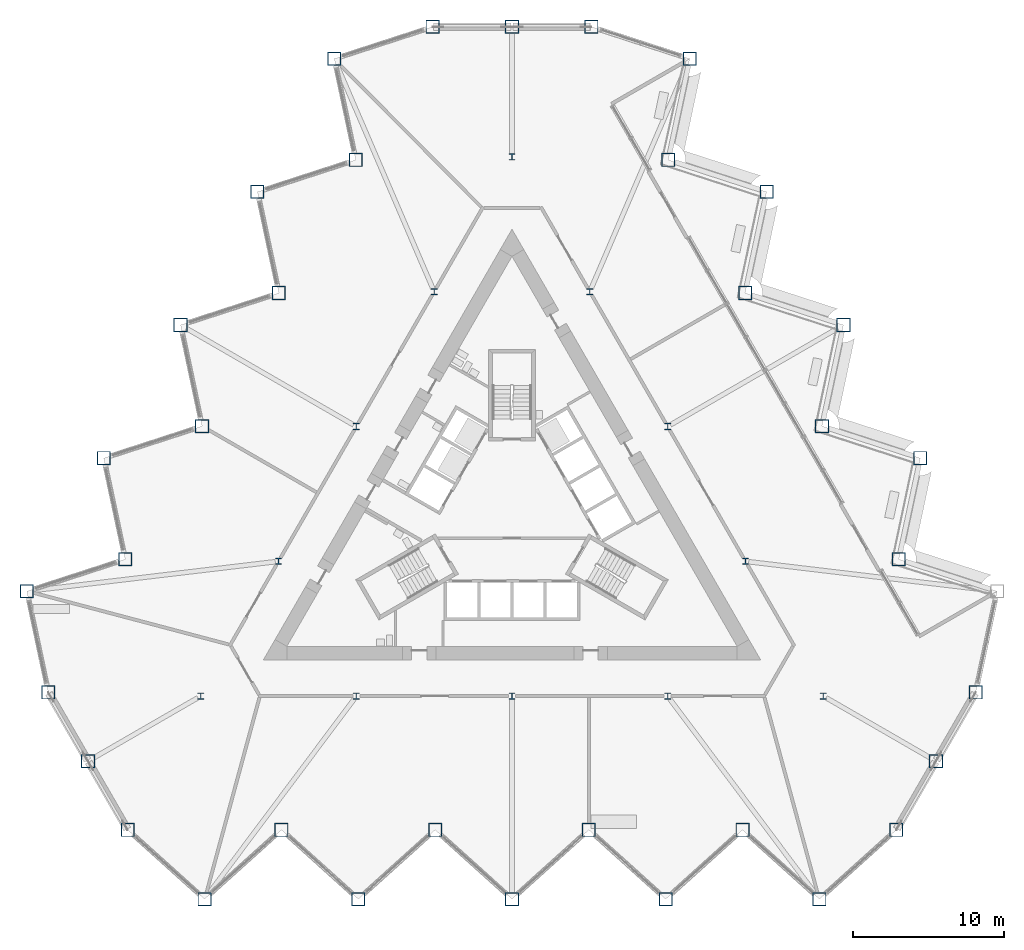
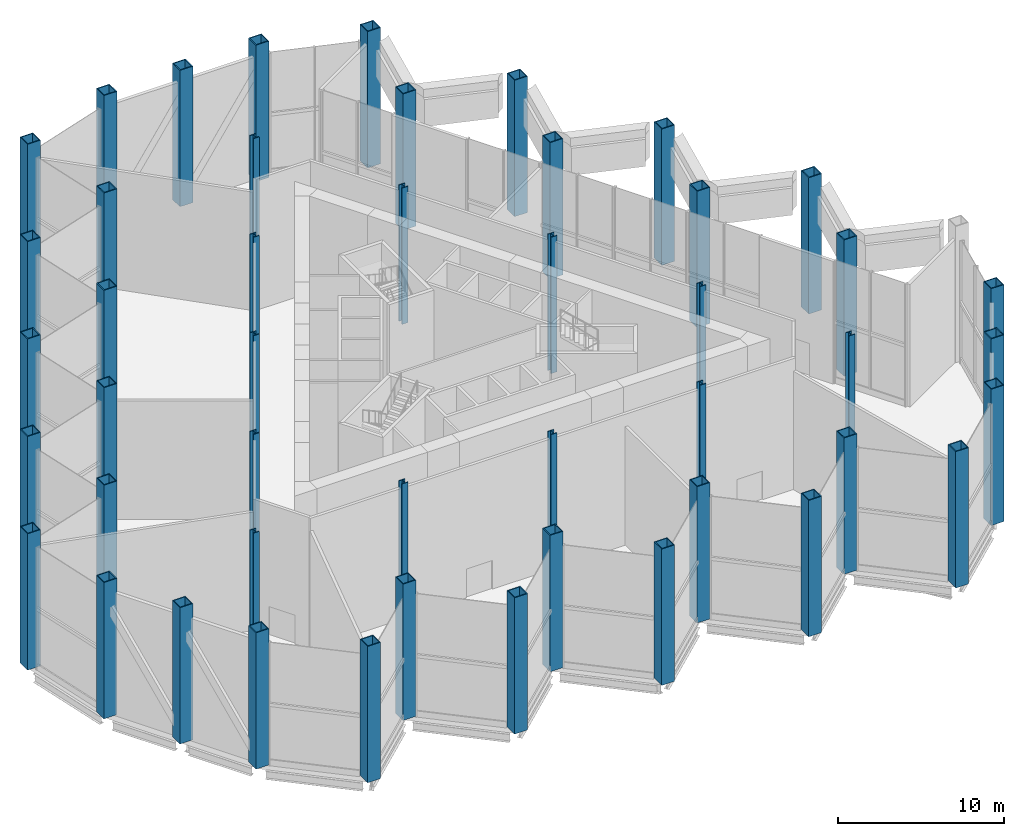
# One storey, part 1 of 18: 47 columns.
"""IFC4 building model written with IfcOpenShell, lengths in metres."""

import ifcopenshell
import ifcopenshell.guid

model = None  # the IFC model being written
_history = None  # IfcOwnerHistory: only IFC2X3 demands one
_inside = {}  # id of a spatial element -> (the spatial element, [elements in it])
_under = {}  # id of a project, library or spatial element -> (it, [spatial elements below it])
_declared = {}  # id of a project -> (the project, [libraries it declares])
_typed = {}  # id of a type object -> (the type object, [elements of that type])
_made_of = {}  # id of a material, layer set ... -> (it, [elements and type objects made of it])


def new_model(schema):
    """Start an empty IFC model of exactly this schema.

    Asked for "IFC4X3", IfcOpenShell would pick the latest addendum, in which some entities
    have other attributes; the version numbers below select the first issue.
    IFC2X3 requires an IfcOwnerHistory on every rooted entity: one is made here for all.
    """
    global model, _history
    if schema == "IFC4X3":
        model = ifcopenshell.file(schema_version=(4, 3, 0, 0))
    else:
        model = ifcopenshell.file(schema=schema)
    _inside.clear()
    _under.clear()
    _declared.clear()
    _typed.clear()
    _made_of.clear()
    _history = None
    if model.schema == "IFC2X3":
        org = make("IfcOrganization", Name="unknown")
        user = make(
            "IfcPersonAndOrganization",
            ThePerson=make("IfcPerson", FamilyName="unknown"),
            TheOrganization=org,
        )
        app = make(
            "IfcApplication",
            ApplicationDeveloper=org,
            Version="unknown",
            ApplicationFullName="unknown",
            ApplicationIdentifier="unknown",
        )
        _history = make(
            "IfcOwnerHistory",
            OwningUser=user,
            OwningApplication=app,
            ChangeAction="ADDED",
            CreationDate=0,
        )
    return model


def make(cls, **values):
    """One entity of the class cls with the attributes given. An attribute that is None is left unset."""
    return model.create_entity(
        cls, **{name: value for name, value in values.items() if value is not None}
    )


def rooted(cls, **values):
    """An entity with a GlobalId (a new one), such as an element, a storey or a relation."""
    return make(cls, GlobalId=ifcopenshell.guid.new(), OwnerHistory=_history, **values)


def si_unit(unit_type, name, prefix=None):
    """IfcSIUnit, for example si_unit("LENGTHUNIT", "METRE", prefix="MILLI")."""
    return make("IfcSIUnit", UnitType=unit_type, Prefix=prefix, Name=name)


def assignment(units):
    """IfcUnitAssignment: the units of a project."""
    return None if units is None else make("IfcUnitAssignment", Units=units)


def point(xyz):
    """IfcCartesianPoint."""
    return None if xyz is None else make("IfcCartesianPoint", Coordinates=xyz)


def direction(xyz):
    """IfcDirection."""
    return None if xyz is None else make("IfcDirection", DirectionRatios=xyz)


def frame(location, z_axis=None, x_axis=None):
    """IfcAxis2Placement3D, a coordinate frame: its origin and axes. An axis left out is left unset."""
    return make(
        "IfcAxis2Placement3D",
        Location=point(location),
        Axis=direction(z_axis),
        RefDirection=direction(x_axis),
    )


def frame_2d(location, x_axis=None):
    """IfcAxis2Placement2D, a coordinate frame in the plane: its origin and x axis."""
    return make(
        "IfcAxis2Placement2D", Location=point(location), RefDirection=direction(x_axis)
    )


def origin():
    """The frame at (0, 0, 0) with its axes left unset."""
    return frame((0.0, 0.0, 0.0))


def origin_2d():
    """The frame at (0, 0) in the plane with its x axis left unset."""
    return frame_2d((0.0, 0.0))


def place(relative_to, where):
    """IfcLocalPlacement: puts the frame where relative to a parent placement (None: the world)."""
    return make(
        "IfcLocalPlacement", PlacementRelTo=relative_to, RelativePlacement=where
    )


def context(
    kind, dimensions, precision=None, world=None, true_north=None, identifier=None
):
    """IfcGeometricRepresentationContext, for example the 3D "Model" context."""
    return make(
        "IfcGeometricRepresentationContext",
        ContextIdentifier=identifier,
        ContextType=kind,
        CoordinateSpaceDimension=dimensions,
        Precision=precision,
        WorldCoordinateSystem=world,
        TrueNorth=true_north,
    )


def subcontext(parent, identifier, kind, view, scale=None):
    """IfcGeometricRepresentationSubContext, for example "Body" below "Model"."""
    return make(
        "IfcGeometricRepresentationSubContext",
        ContextIdentifier=identifier,
        ContextType=kind,
        ParentContext=parent,
        TargetScale=scale,
        TargetView=view,
    )


def project(units=None, contexts=None):
    """IfcProject with its units and contexts."""
    return rooted(
        "IfcProject",
        Name="project",
        RepresentationContexts=contexts,
        UnitsInContext=assignment(units),
    )


def spatial(cls, under=None, at=None, **own):
    """A site, building, storey or space (cls), placed at a placement, below another one or the project."""
    s = rooted(cls, ObjectPlacement=at, **own)
    if under is not None:
        _under.setdefault(under.id(), (under, []))[1].append(s)
    return s


def profile(cls, at=None, kind="AREA", **sizes):
    """A parametric profile (cls). Its sizes go by their IFC names, for example OverallWidth=200.0."""
    return make(cls, ProfileType=kind, Position=at, **sizes)


def hollow_rectangle(**sizes):
    """IfcRectangleHollowProfileDef."""
    return profile("IfcRectangleHollowProfileDef", **sizes)


def i_section(**sizes):
    """IfcIShapeProfileDef."""
    return profile("IfcIShapeProfileDef", **sizes)


def extrude(swept, where, along, depth):
    """IfcExtrudedAreaSolid: the profile swept, set in the frame where, extruded along a direction by depth."""
    return make(
        "IfcExtrudedAreaSolid",
        SweptArea=swept,
        Position=where,
        ExtrudedDirection=direction(along),
        Depth=depth,
    )


def shape(context_of_items, identifier, shape_type, items):
    """IfcShapeRepresentation: the items that make up one representation, for example the "Body"."""
    return make(
        "IfcShapeRepresentation",
        ContextOfItems=context_of_items,
        RepresentationIdentifier=identifier,
        RepresentationType=shape_type,
        Items=items,
    )


def material(Name=None, Category=None):
    """IfcMaterial."""
    return make("IfcMaterial", Name=Name, Category=Category)


def material_profile(
    of_material, cross_section, Name=None, Category=None, Priority=None
):
    """IfcMaterialProfile: a cross section and its material."""
    return make(
        "IfcMaterialProfile",
        Name=Name,
        Material=of_material,
        Profile=cross_section,
        Priority=Priority,
        Category=Category,
    )


def profile_set(profiles, Name=None, composite=None):
    """IfcMaterialProfileSet."""
    return make(
        "IfcMaterialProfileSet",
        Name=Name,
        MaterialProfiles=profiles,
        CompositeProfile=composite,
    )


def made_of(thing, what):
    """Note that an element or type object is made of a material, layer set ...; save() writes the relation."""
    if what is not None:
        _made_of.setdefault(what.id(), (what, []))[1].append(thing)
    return thing


def type_object(cls, material=None, **own):
    """A type object (cls), such as IfcWallType, which elements share."""
    return made_of(rooted(cls, **own), material)


def element(
    cls,
    number,
    at=None,
    inside=None,
    cuts=None,
    type_object=None,
    material=None,
    context=None,
    identifier="Body",
    shape_type=None,
    held_by="IfcProductDefinitionShape",
    body=None,
    shapes=None,
    **own,
):
    """One element of the class cls, such as IfcWall. Its Tag is "e" and its number.

    at: its placement. inside: the storey or other place that contains it. cuts: it is an
    opening in that element (IfcRelVoidsElement). A single representation is given by context,
    identifier, shape_type and body (its items); several are given by shapes. held_by: the class
    of the entity that holds the representations. save() writes the other relations.
    """
    e = rooted(cls, Tag="e%d" % number, ObjectPlacement=at, **own)
    if body is not None:
        shapes = [shape(context, identifier, shape_type, body)]
    if shapes is not None:
        e.Representation = make(held_by, Representations=shapes)
    if inside is not None:
        _inside.setdefault(inside.id(), (inside, []))[1].append(e)
    if cuts is not None:
        rooted(
            "IfcRelVoidsElement", RelatingBuildingElement=cuts, RelatedOpeningElement=e
        )
    if type_object is not None:
        _typed.setdefault(type_object.id(), (type_object, []))[1].append(e)
    return made_of(e, material)


def aggregate(whole, parts):
    """IfcRelAggregates: a whole, such as a stair, and the parts it consists of."""
    return rooted("IfcRelAggregates", RelatingObject=whole, RelatedObjects=parts)


def save(model, path):
    """Write the relations noted so far, then the file.

    IfcRelAggregates (storeys below a building ...), IfcRelContainedInSpatialStructure (elements
    in a storey), IfcRelDefinesByType, IfcRelAssociatesMaterial and IfcRelDeclares: one each for
    every whole, place, type object, material and project.
    """
    for whole, parts in _under.values():
        aggregate(whole, parts)
    for where, things in _inside.values():
        rooted(
            "IfcRelContainedInSpatialStructure",
            RelatedElements=things,
            RelatingStructure=where,
        )
    for kind, things in _typed.values():
        rooted("IfcRelDefinesByType", RelatedObjects=things, RelatingType=kind)
    for what, things in _made_of.values():
        rooted("IfcRelAssociatesMaterial", RelatedObjects=things, RelatingMaterial=what)
    for by, libraries in _declared.values():
        rooted("IfcRelDeclares", RelatingContext=by, RelatedDefinitions=libraries)
    model.write(path)


model = new_model("IFC4")

# Units and contexts
model_context = context("Model", 3, precision=1e-05, world=origin(), true_north=direction((0.0, 1.0)))
body_context = subcontext(model_context, "Body", "Model", "MODEL_VIEW")
ifc_project = project(units=[si_unit("LENGTHUNIT", "METRE"), si_unit("AREAUNIT", "SQUARE_METRE"), si_unit("VOLUMEUNIT", "CUBIC_METRE"), si_unit("PLANEANGLEUNIT", "RADIAN"), si_unit("MASSUNIT", "GRAM", prefix="KILO")], contexts=[model_context])

# Site, building, storey
site_placement = place(None, origin())
site = spatial("IfcSite", under=ifc_project, at=site_placement, CompositionType="ELEMENT")
building_placement = place(site_placement, origin())
building = spatial("IfcBuilding", under=site, at=building_placement, Name="Cormorant Prow Tower", CompositionType="ELEMENT")
storey_placement = place(building_placement, frame((0.0, 0.0, 154.199951171875)))
storey = spatial("IfcBuildingStorey", under=building, at=storey_placement, Name="L33", CompositionType="ELEMENT", Elevation=154.199951171875)

# Columns
ifc_material_1 = material(Name="Structural steel ASTM A572 Gr 50", Category="steel")
ifc_material_profile_1 = material_profile(ifc_material_1, hollow_rectangle(XDim=0.89990234375, YDim=0.89990234375, WallThickness=0.06005859375, at=origin_2d()), Name="Box 900x900x60")
ifc_profile_set_1 = profile_set([ifc_material_profile_1], Name="Structural steel ASTM A572 Gr 50")
column_type_1 = type_object("IfcColumnType", Name="Perimeter box column 900x900x60", PredefinedType="COLUMN", material=ifc_profile_set_1)
for number, where, z_axis, x_axis, name in (
    (1, (-25.499755859375, -20.80712890625, 0.0), (0.0, 0.0, 1.0), (1.0, 0.0, 0.0), "Perimeter column C3 at S00 L33"),
    (2, (-20.399658203125, -25.399169921875, 0.0), (0.0, 0.0, 1.0), (1.0, 0.0, 0.0), "Perimeter column C3 at S01 L33"),
    (3, (-15.2998046875, -20.80712890625, 0.0), (0.0, 0.0, 1.0), (1.0, 0.0, 0.0), "Perimeter column C3 at S02 L33"),
    (4, (-10.199951171875, -25.399169921875, 0.0), (0.0, 0.0, 1.0), (1.0, 0.0, 0.0), "Perimeter column C3 at S03 L33"),
    (5, (-5.099853515625, -20.80712890625, 0.0), (0.0, 0.0, 1.0), (1.0, 0.0, 0.0), "Perimeter column C3 at S04 L33"),
    (6, (0.0, -25.399169921875, 0.0), (0.0, 0.0, 1.0), (1.0, 0.0, 0.0), "Perimeter column C3 at S05 L33"),
    (7, (5.099853515625, -20.80712890625, 0.0), (0.0, 0.0, 1.0), (1.0, 0.0, 0.0), "Perimeter column C3 at S06 L33"),
    (8, (10.199951171875, -25.399169921875, 0.0), (0.0, 0.0, 1.0), (1.0, 0.0, 0.0), "Perimeter column C3 at S07 L33"),
    (9, (15.2998046875, -20.80712890625, 0.0), (0.0, 0.0, 1.0), (1.0, 0.0, 0.0), "Perimeter column C3 at S08 L33"),
    (10, (20.399658203125, -25.399169921875, 0.0), (0.0, 0.0, 1.0), (1.0, 0.0, 0.0), "Perimeter column C3 at S09 L33"),
    (11, (25.499755859375, -20.80712890625, 0.0), (0.0, 0.0, 1.0), (1.0, 0.0, 0.0), "Perimeter column C3 at ESE00 L33"),
    (12, (28.134521484375, -16.243408203125, 0.0), (0.0, 0.0, 1.0), (1.0, 0.0, 0.0), "Perimeter column C3 at ESE01 L33"),
    (13, (30.769287109375, -11.679931640625, 0.0), (0.0, 0.0, 1.0), (1.0, 0.0, 0.0), "Perimeter column C3 at ENE00 L33"),
    (14, (25.66943359375, -2.846435546875, 0.0), (0.0, 0.0, 1.0), (1.0, 0.0, 0.0), "Perimeter column C3 at ENE02 L33"),
    (15, (27.09619140625, 3.8662109375, 0.0), (0.0, 0.0, 1.0), (1.0, 0.0, 0.0), "Perimeter column C3 at ENE03 L33"),
    (16, (20.569580078125, 5.98681640625, 0.0), (0.0, 0.0, 1.0), (1.0, 0.0, 0.0), "Perimeter column C3 at ENE04 L33"),
    (17, (21.996337890625, 12.699462890625, 0.0), (0.0, 0.0, 1.0), (1.0, 0.0, 0.0), "Perimeter column C3 at ENE05 L33"),
    (18, (15.469482421875, 14.8203125, 0.0), (0.0, 0.0, 1.0), (1.0, 0.0, 0.0), "Perimeter column C3 at ENE06 L33"),
    (19, (16.896240234375, 21.532958984375, 0.0), (0.0, 0.0, 1.0), (1.0, 0.0, 0.0), "Perimeter column C3 at ENE07 L33"),
    (20, (10.36962890625, 23.653564453125, 0.0), (0.0, 0.0, 1.0), (1.0, 0.0, 0.0), "Perimeter column C3 at ENE08 L33"),
    (21, (11.79638671875, 30.3662109375, 0.0), (0.0, 0.0, 1.0), (1.0, 0.0, 0.0), "Perimeter column C3 at ENE09 L33"),
    (22, (5.269775390625, 32.487060546875, 0.0), (0.0, 0.0, 1.0), (1.0, 0.0, 0.0), "Perimeter column C3 at N00 L33"),
    (23, (0.0, 32.487060546875, 0.0), (0.0, 0.0, 1.0), (1.0, 0.0, 0.0), "Perimeter column C3 at N01 L33"),
    (24, (-5.269775390625, 32.487060546875, 0.0), (0.0, 0.0, 1.0), (1.0, 0.0, 0.0), "Perimeter column C3 at WNW00 L33"),
    (25, (-11.79638671875, 30.3662109375, 0.0), (0.0, 0.0, 1.0), (1.0, 0.0, 0.0), "Perimeter column C3 at WNW01 L33"),
    (26, (-10.36962890625, 23.653564453125, 0.0), (0.0, 0.0, 1.0), (1.0, 0.0, 0.0), "Perimeter column C3 at WNW02 L33"),
    (27, (-16.896240234375, 21.532958984375, 0.0), (0.0, 0.0, 1.0), (1.0, 0.0, 0.0), "Perimeter column C3 at WNW03 L33"),
    (28, (-15.469482421875, 14.8203125, 0.0), (0.0, 0.0, 1.0), (1.0, 0.0, 0.0), "Perimeter column C3 at WNW04 L33"),
    (29, (-21.996337890625, 12.699462890625, 0.0), (0.0, 0.0, 1.0), (1.0, 0.0, 0.0), "Perimeter column C3 at WNW05 L33"),
    (30, (-20.569580078125, 5.98681640625, 0.0), (0.0, 0.0, 1.0), (1.0, 0.0, 0.0), "Perimeter column C3 at WNW06 L33"),
    (31, (-27.09619140625, 3.8662109375, 0.0), (0.0, 0.0, 1.0), (1.0, 0.0, 0.0), "Perimeter column C3 at WNW07 L33"),
    (32, (-25.66943359375, -2.846435546875, 0.0), (0.0, 0.0, 1.0), (1.0, 0.0, 0.0), "Perimeter column C3 at WNW08 L33"),
    (33, (-32.1962890625, -4.967041015625, 0.0), (0.0, 0.0, 1.0), (1.0, 0.0, 0.0), "Perimeter column C3 at WNW09 L33"),
    (34, (-30.769287109375, -11.679931640625, 0.0), (0.0, 0.0, 1.0), (1.0, 0.0, 0.0), "Perimeter column C3 at WSW00 L33"),
    (35, (-28.134521484375, -16.243408203125, 0.0), (0.0, 0.0, 1.0), (1.0, 0.0, 0.0), "Perimeter column C3 at WSW01 L33"),
):
    element("IfcColumn", number, at=place(storey_placement, frame(where, z_axis=z_axis, x_axis=x_axis)), inside=storey, type_object=column_type_1, Name=name, PredefinedType="COLUMN", context=body_context, shape_type="SweptSolid", body=[
        extrude(hollow_rectangle(XDim=0.89990234375, YDim=0.89990234375, WallThickness=0.06005859375, at=origin_2d()), origin(), (0.0, 0.0, 1.0), 10.0),
    ])
ifc_material_2 = material(Name="Structural steel ASTM A992 Gr 50", Category="steel")
ifc_material_profile_2 = material_profile(ifc_material_2, i_section(OverallWidth=0.412109375, OverallDepth=0.434814453125, WebThickness=0.035888671875, FlangeThickness=0.057373046875, at=origin_2d()), Name="W14x311")
ifc_profile_set_2 = profile_set([ifc_material_profile_2], Name="Structural steel ASTM A992 Gr 50")
column_type_2 = type_object("IfcColumnType", Name="Ring column W14x311", PredefinedType="COLUMN", material=ifc_profile_set_2)
for number, where, z_axis, x_axis, name in (
    (36, (0.0, 23.8525390625, 0.0), (0.0, 0.0, 1.0), (1.0, 0.0, 0.0), "Ring column 1 L33"),
    (37, (-5.164306640625, 14.907958984375, 0.0), (0.0, 0.0, 1.0), (1.0, 0.0, 0.0), "Ring column 2 L33"),
    (38, (-10.328369140625, 5.963134765625, 0.0), (0.0, 0.0, 1.0), (1.0, 0.0, 0.0), "Ring column 3 L33"),
    (39, (-15.49267578125, -2.981689453125, 0.0), (0.0, 0.0, 1.0), (1.0, 0.0, 0.0), "Ring column 4 L33"),
    (40, (-20.656982421875, -11.92626953125, 0.0), (0.0, 0.0, 1.0), (1.0, 0.0, 0.0), "Ring column 5 L33"),
    (41, (-10.328369140625, -11.92626953125, 0.0), (0.0, 0.0, 1.0), (1.0, 0.0, 0.0), "Ring column 6 L33"),
    (42, (0.0, -11.92626953125, 0.0), (0.0, 0.0, 1.0), (1.0, 0.0, 0.0), "Ring column 7 L33"),
    (43, (10.328369140625, -11.92626953125, 0.0), (0.0, 0.0, 1.0), (1.0, 0.0, 0.0), "Ring column 8 L33"),
    (44, (20.656982421875, -11.92626953125, 0.0), (0.0, 0.0, 1.0), (1.0, 0.0, 0.0), "Ring column 9 L33"),
    (45, (15.49267578125, -2.981689453125, 0.0), (0.0, 0.0, 1.0), (1.0, 0.0, 0.0), "Ring column 10 L33"),
    (46, (10.328369140625, 5.963134765625, 0.0), (0.0, 0.0, 1.0), (1.0, 0.0, 0.0), "Ring column 11 L33"),
    (47, (5.164306640625, 14.907958984375, 0.0), (0.0, 0.0, 1.0), (1.0, 0.0, 0.0), "Ring column 12 L33"),
):
    element("IfcColumn", number, at=place(storey_placement, frame(where, z_axis=z_axis, x_axis=x_axis)), inside=storey, type_object=column_type_2, Name=name, PredefinedType="COLUMN", context=body_context, shape_type="SweptSolid", body=[
        extrude(i_section(OverallWidth=0.412109375, OverallDepth=0.434814453125, WebThickness=0.035888671875, FlangeThickness=0.057373046875, at=origin_2d()), origin(), (0.0, 0.0, 1.0), 10.0),
    ])

save(model, "model.ifc")
